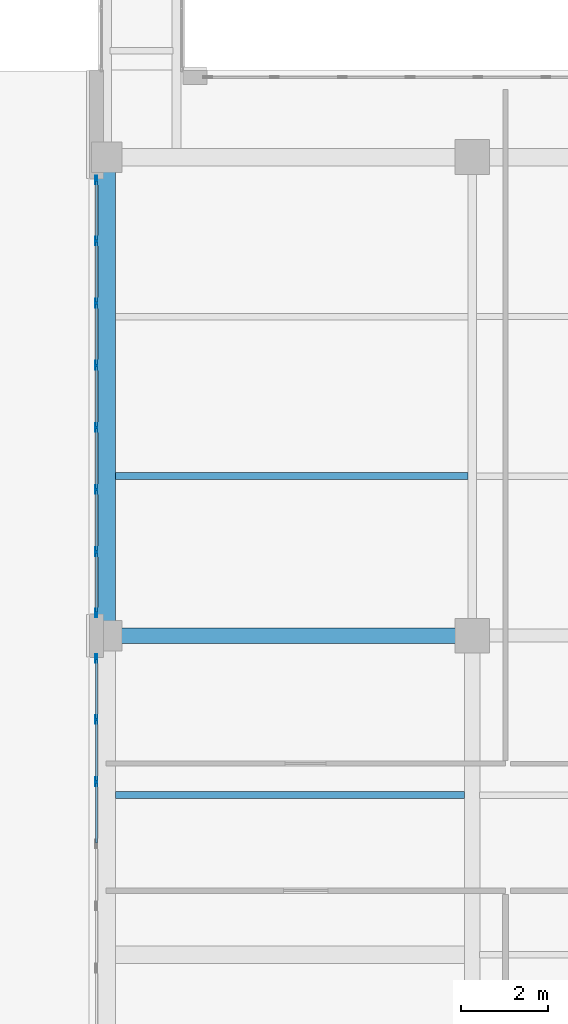
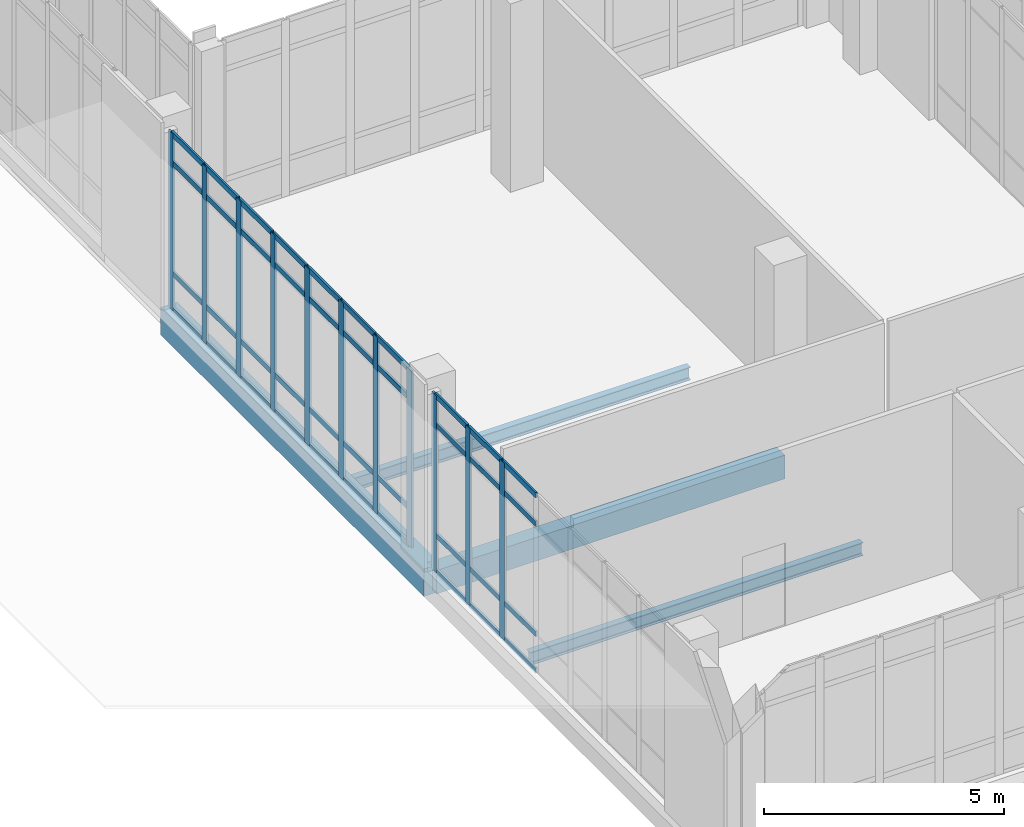
# One storey, part 5 of 189: 51 members, 4 beams, 2 elements without a shape of their own.
"""IFC4 building model written with IfcOpenShell, lengths in metres."""

from ifc_helpers import new_model, si_unit, direction, frame, origin, origin_2d, place, context, subcontext, project, spatial, rectangle, hollow_rectangle, i_section, extrude, material, layer, layer_set, material_profile, profile_set, type_object, element, aggregate, save


model = new_model("IFC4")

# Units and contexts
model_context = context("Model", 3, precision=1e-05, world=origin(), true_north=direction((0.0, 1.0)))
body_context = subcontext(model_context, "Body", "Model", "MODEL_VIEW")
ifc_project = project(units=[si_unit("LENGTHUNIT", "METRE"), si_unit("AREAUNIT", "SQUARE_METRE"), si_unit("VOLUMEUNIT", "CUBIC_METRE"), si_unit("PLANEANGLEUNIT", "RADIAN"), si_unit("MASSUNIT", "GRAM", prefix="KILO")], contexts=[model_context])

# Site, building, storey
site_placement = place(None, origin())
site = spatial("IfcSite", under=ifc_project, at=site_placement, CompositionType="ELEMENT")
building_placement = place(site_placement, origin())
building = spatial("IfcBuilding", under=site, at=building_placement, Name="Qalavern Law Courts", CompositionType="ELEMENT")
storey_placement = place(building_placement, frame((0.0, 0.0, 5.39990234375)))
storey = spatial("IfcBuildingStorey", under=building, at=storey_placement, Name="L01", CompositionType="ELEMENT", Elevation=5.39990234375)

# Curtain wall, members
ifc_material_1 = material(Name="Anodised aluminium and insulated glazing", Category="aluminium")
ifc_layer = layer(ifc_material_1, 0.199951171875)
ifc_layer_set = layer_set([ifc_layer], Name="Anodised aluminium and insulated glazing")
curtain_wall_type = type_object("IfcCurtainWallType", Name="ENV-CW-FOYER", PredefinedType="USERDEFINED", material=ifc_layer_set)
curtain_wall_1_placement = place(storey_placement, origin())
curtain_wall_1 = element("IfcCurtainWall", 1, at=curtain_wall_1_placement, inside=storey, type_object=curtain_wall_type, Name="V1 unitised curtain wall L01 west 1", ObjectType="UNITISED CURTAIN WALL", PredefinedType="USERDEFINED")
ifc_material_2 = material(Name="Anodised aluminium", Category="aluminium")
ifc_material_profile_1 = material_profile(ifc_material_2, hollow_rectangle(XDim=0.048095703125, YDim=0.199951171875, WallThickness=0.00439453125, at=origin_2d()), Name="ALU MULLION 48x200")
ifc_profile_set_1 = profile_set([ifc_material_profile_1], Name="Anodised aluminium")
member_type_1 = type_object("IfcMemberType", Name="ENV-CWM-48x200", PredefinedType="MULLION", material=ifc_profile_set_1)
member_1_placement = place(storey_placement, frame((16.5625, 31.47607421875, 0.0), z_axis=(0.0, 0.0, 1.0), x_axis=(1.0, 0.0, 0.0)))
member_1 = element("IfcMember", 2, at=member_1_placement, type_object=member_type_1, Name="CW-01 mullion 1", PredefinedType="MULLION", context=body_context, shape_type="SweptSolid", body=[
    extrude(hollow_rectangle(XDim=0.048095703125, YDim=0.199951171875, WallThickness=0.00439453125, at=origin_2d()), origin(), (0.0, 0.0, 1.0), 4.510009765625),
])
member_2_placement = place(storey_placement, frame((16.5625, 30.071533203125, 0.0), z_axis=(0.0, 0.0, 1.0), x_axis=(1.0, 0.0, 0.0)))
member_2 = element("IfcMember", 3, at=member_2_placement, type_object=member_type_1, Name="CW-01 mullion 2", PredefinedType="MULLION", context=body_context, shape_type="SweptSolid", body=[
    extrude(hollow_rectangle(XDim=0.048095703125, YDim=0.199951171875, WallThickness=0.00439453125, at=origin_2d()), origin(), (0.0, 0.0, 1.0), 4.510009765625),
])
member_3_placement = place(storey_placement, frame((16.5625, 28.642822265625, 0.0), z_axis=(0.0, 0.0, 1.0), x_axis=(1.0, 0.0, 0.0)))
member_3 = element("IfcMember", 4, at=member_3_placement, type_object=member_type_1, Name="CW-01 mullion 3", PredefinedType="MULLION", context=body_context, shape_type="SweptSolid", body=[
    extrude(hollow_rectangle(XDim=0.048095703125, YDim=0.199951171875, WallThickness=0.00439453125, at=origin_2d()), origin(), (0.0, 0.0, 1.0), 4.510009765625),
])
member_4_placement = place(storey_placement, frame((16.5625, 27.21435546875, 0.0), z_axis=(0.0, 0.0, 1.0), x_axis=(1.0, 0.0, 0.0)))
member_4 = element("IfcMember", 5, at=member_4_placement, type_object=member_type_1, Name="CW-01 mullion 4", PredefinedType="MULLION", context=body_context, shape_type="SweptSolid", body=[
    extrude(hollow_rectangle(XDim=0.048095703125, YDim=0.199951171875, WallThickness=0.00439453125, at=origin_2d()), origin(), (0.0, 0.0, 1.0), 4.510009765625),
])
member_5_placement = place(storey_placement, frame((16.5625, 25.78564453125, 0.0), z_axis=(0.0, 0.0, 1.0), x_axis=(1.0, 0.0, 0.0)))
member_5 = element("IfcMember", 6, at=member_5_placement, type_object=member_type_1, Name="CW-01 mullion 5", PredefinedType="MULLION", context=body_context, shape_type="SweptSolid", body=[
    extrude(hollow_rectangle(XDim=0.048095703125, YDim=0.199951171875, WallThickness=0.00439453125, at=origin_2d()), origin(), (0.0, 0.0, 1.0), 4.510009765625),
])
member_6_placement = place(storey_placement, frame((16.5625, 24.357177734375, 0.0), z_axis=(0.0, 0.0, 1.0), x_axis=(1.0, 0.0, 0.0)))
member_6 = element("IfcMember", 7, at=member_6_placement, type_object=member_type_1, Name="CW-01 mullion 6", PredefinedType="MULLION", context=body_context, shape_type="SweptSolid", body=[
    extrude(hollow_rectangle(XDim=0.048095703125, YDim=0.199951171875, WallThickness=0.00439453125, at=origin_2d()), origin(), (0.0, 0.0, 1.0), 4.510009765625),
])
member_7_placement = place(storey_placement, frame((16.5625, 22.928466796875, 0.0), z_axis=(0.0, 0.0, 1.0), x_axis=(1.0, 0.0, 0.0)))
member_7 = element("IfcMember", 8, at=member_7_placement, type_object=member_type_1, Name="CW-01 mullion 7", PredefinedType="MULLION", context=body_context, shape_type="SweptSolid", body=[
    extrude(hollow_rectangle(XDim=0.048095703125, YDim=0.199951171875, WallThickness=0.00439453125, at=origin_2d()), origin(), (0.0, 0.0, 1.0), 4.510009765625),
])
member_8_placement = place(storey_placement, frame((16.5625, 21.52392578125, 0.0), z_axis=(0.0, 0.0, 1.0), x_axis=(1.0, 0.0, 0.0)))
member_8 = element("IfcMember", 9, at=member_8_placement, type_object=member_type_1, Name="CW-01 mullion 8", PredefinedType="MULLION", context=body_context, shape_type="SweptSolid", body=[
    extrude(hollow_rectangle(XDim=0.048095703125, YDim=0.199951171875, WallThickness=0.00439453125, at=origin_2d()), origin(), (0.0, 0.0, 1.0), 4.510009765625),
])

curtain_wall_2_placement = place(storey_placement, origin())
curtain_wall_2 = element("IfcCurtainWall", 10, at=curtain_wall_2_placement, inside=storey, type_object=curtain_wall_type, Name="V1 unitised curtain wall L01 west 2", ObjectType="UNITISED CURTAIN WALL", PredefinedType="USERDEFINED")
member_9_placement = place(storey_placement, frame((16.5625, 20.47607421875, 0.0), z_axis=(0.0, 0.0, 1.0), x_axis=(1.0, 0.0, 0.0)))
member_9 = element("IfcMember", 11, at=member_9_placement, type_object=member_type_1, Name="CW-01 mullion 1", PredefinedType="MULLION", context=body_context, shape_type="SweptSolid", body=[
    extrude(hollow_rectangle(XDim=0.048095703125, YDim=0.199951171875, WallThickness=0.00439453125, at=origin_2d()), origin(), (0.0, 0.0, 1.0), 4.510009765625),
])
member_10_placement = place(storey_placement, frame((16.5625, 19.071533203125, 0.0), z_axis=(0.0, 0.0, 1.0), x_axis=(1.0, 0.0, 0.0)))
member_10 = element("IfcMember", 12, at=member_10_placement, type_object=member_type_1, Name="CW-01 mullion 2", PredefinedType="MULLION", context=body_context, shape_type="SweptSolid", body=[
    extrude(hollow_rectangle(XDim=0.048095703125, YDim=0.199951171875, WallThickness=0.00439453125, at=origin_2d()), origin(), (0.0, 0.0, 1.0), 4.510009765625),
])
member_11_placement = place(storey_placement, frame((16.5625, 17.642822265625, 0.0), z_axis=(0.0, 0.0, 1.0), x_axis=(1.0, 0.0, 0.0)))
member_11 = element("IfcMember", 13, at=member_11_placement, type_object=member_type_1, Name="CW-01 mullion 3", PredefinedType="MULLION", context=body_context, shape_type="SweptSolid", body=[
    extrude(hollow_rectangle(XDim=0.048095703125, YDim=0.199951171875, WallThickness=0.00439453125, at=origin_2d()), origin(), (0.0, 0.0, 1.0), 4.510009765625),
])

# Member
ifc_material_profile_2 = material_profile(ifc_material_2, hollow_rectangle(XDim=0.048095703125, YDim=0.139892578125, WallThickness=0.00390625, at=origin_2d()), Name="ALU TRANSOM 48x140")
ifc_profile_set_2 = profile_set([ifc_material_profile_2], Name="Anodised aluminium")
member_type_2 = type_object("IfcMemberType", Name="ENV-CWT-48x140", PredefinedType="USERDEFINED", material=ifc_profile_set_2)
member_12_placement = place(storey_placement, frame((16.5625, 31.451904296875, 0.024169921875), z_axis=(0.0, -1.0, 0.0), x_axis=(1.0, 0.0, 0.0)))
member_12 = element("IfcMember", 14, at=member_12_placement, type_object=member_type_2, Name="CW-01 transom 1.1", ObjectType="TRANSOM", PredefinedType="USERDEFINED", context=body_context, shape_type="SweptSolid", body=[
    extrude(hollow_rectangle(XDim=0.048095703125, YDim=0.139892578125, WallThickness=0.00390625, at=origin_2d()), origin(), (0.0, 0.0, 1.0), 1.3564453125),
])

member_13_placement = place(storey_placement, frame((16.5625, 31.451904296875, 0.9501953125), z_axis=(0.0, -1.0, 0.0), x_axis=(1.0, 0.0, 0.0)))
member_13 = element("IfcMember", 15, at=member_13_placement, type_object=member_type_2, Name="CW-01 transom 1.2", ObjectType="TRANSOM", PredefinedType="USERDEFINED", context=body_context, shape_type="SweptSolid", body=[
    extrude(hollow_rectangle(XDim=0.048095703125, YDim=0.139892578125, WallThickness=0.00390625, at=origin_2d()), origin(), (0.0, 0.0, 1.0), 1.3564453125),
])

member_14_placement = place(storey_placement, frame((16.5625, 31.451904296875, 3.760009765625), z_axis=(0.0, -1.0, 0.0), x_axis=(1.0, 0.0, 0.0)))
member_14 = element("IfcMember", 16, at=member_14_placement, type_object=member_type_2, Name="CW-01 transom 1.3", ObjectType="TRANSOM", PredefinedType="USERDEFINED", context=body_context, shape_type="SweptSolid", body=[
    extrude(hollow_rectangle(XDim=0.048095703125, YDim=0.139892578125, WallThickness=0.00390625, at=origin_2d()), origin(), (0.0, 0.0, 1.0), 1.3564453125),
])

member_15_placement = place(storey_placement, frame((16.5625, 31.451904296875, 4.486083984375), z_axis=(0.0, -1.0, 0.0), x_axis=(1.0, 0.0, 0.0)))
member_15 = element("IfcMember", 17, at=member_15_placement, type_object=member_type_2, Name="CW-01 transom 1.4", ObjectType="TRANSOM", PredefinedType="USERDEFINED", context=body_context, shape_type="SweptSolid", body=[
    extrude(hollow_rectangle(XDim=0.048095703125, YDim=0.139892578125, WallThickness=0.00390625, at=origin_2d()), origin(), (0.0, 0.0, 1.0), 1.3564453125),
])

member_16_placement = place(storey_placement, frame((16.5625, 30.04736328125, 0.024169921875), z_axis=(0.0, -1.0, 0.0), x_axis=(1.0, 0.0, 0.0)))
member_16 = element("IfcMember", 18, at=member_16_placement, type_object=member_type_2, Name="CW-01 transom 2.1", ObjectType="TRANSOM", PredefinedType="USERDEFINED", context=body_context, shape_type="SweptSolid", body=[
    extrude(hollow_rectangle(XDim=0.048095703125, YDim=0.139892578125, WallThickness=0.00390625, at=origin_2d()), origin(), (0.0, 0.0, 1.0), 1.380615234375),
])

member_17_placement = place(storey_placement, frame((16.5625, 30.04736328125, 0.9501953125), z_axis=(0.0, -1.0, 0.0), x_axis=(1.0, 0.0, 0.0)))
member_17 = element("IfcMember", 19, at=member_17_placement, type_object=member_type_2, Name="CW-01 transom 2.2", ObjectType="TRANSOM", PredefinedType="USERDEFINED", context=body_context, shape_type="SweptSolid", body=[
    extrude(hollow_rectangle(XDim=0.048095703125, YDim=0.139892578125, WallThickness=0.00390625, at=origin_2d()), origin(), (0.0, 0.0, 1.0), 1.380615234375),
])

member_18_placement = place(storey_placement, frame((16.5625, 30.04736328125, 3.760009765625), z_axis=(0.0, -1.0, 0.0), x_axis=(1.0, 0.0, 0.0)))
member_18 = element("IfcMember", 20, at=member_18_placement, type_object=member_type_2, Name="CW-01 transom 2.3", ObjectType="TRANSOM", PredefinedType="USERDEFINED", context=body_context, shape_type="SweptSolid", body=[
    extrude(hollow_rectangle(XDim=0.048095703125, YDim=0.139892578125, WallThickness=0.00390625, at=origin_2d()), origin(), (0.0, 0.0, 1.0), 1.380615234375),
])

member_19_placement = place(storey_placement, frame((16.5625, 30.04736328125, 4.486083984375), z_axis=(0.0, -1.0, 0.0), x_axis=(1.0, 0.0, 0.0)))
member_19 = element("IfcMember", 21, at=member_19_placement, type_object=member_type_2, Name="CW-01 transom 2.4", ObjectType="TRANSOM", PredefinedType="USERDEFINED", context=body_context, shape_type="SweptSolid", body=[
    extrude(hollow_rectangle(XDim=0.048095703125, YDim=0.139892578125, WallThickness=0.00390625, at=origin_2d()), origin(), (0.0, 0.0, 1.0), 1.380615234375),
])

member_20_placement = place(storey_placement, frame((16.5625, 28.618896484375, 0.024169921875), z_axis=(0.0, -1.0, 0.0), x_axis=(1.0, 0.0, 0.0)))
member_20 = element("IfcMember", 22, at=member_20_placement, type_object=member_type_2, Name="CW-01 transom 3.1", ObjectType="TRANSOM", PredefinedType="USERDEFINED", context=body_context, shape_type="SweptSolid", body=[
    extrude(hollow_rectangle(XDim=0.048095703125, YDim=0.139892578125, WallThickness=0.00390625, at=origin_2d()), origin(), (0.0, 0.0, 1.0), 1.380615234375),
])

member_21_placement = place(storey_placement, frame((16.5625, 28.618896484375, 0.9501953125), z_axis=(0.0, -1.0, 0.0), x_axis=(1.0, 0.0, 0.0)))
member_21 = element("IfcMember", 23, at=member_21_placement, type_object=member_type_2, Name="CW-01 transom 3.2", ObjectType="TRANSOM", PredefinedType="USERDEFINED", context=body_context, shape_type="SweptSolid", body=[
    extrude(hollow_rectangle(XDim=0.048095703125, YDim=0.139892578125, WallThickness=0.00390625, at=origin_2d()), origin(), (0.0, 0.0, 1.0), 1.380615234375),
])

member_22_placement = place(storey_placement, frame((16.5625, 28.618896484375, 3.760009765625), z_axis=(0.0, -1.0, 0.0), x_axis=(1.0, 0.0, 0.0)))
member_22 = element("IfcMember", 24, at=member_22_placement, type_object=member_type_2, Name="CW-01 transom 3.3", ObjectType="TRANSOM", PredefinedType="USERDEFINED", context=body_context, shape_type="SweptSolid", body=[
    extrude(hollow_rectangle(XDim=0.048095703125, YDim=0.139892578125, WallThickness=0.00390625, at=origin_2d()), origin(), (0.0, 0.0, 1.0), 1.380615234375),
])

member_23_placement = place(storey_placement, frame((16.5625, 28.618896484375, 4.486083984375), z_axis=(0.0, -1.0, 0.0), x_axis=(1.0, 0.0, 0.0)))
member_23 = element("IfcMember", 25, at=member_23_placement, type_object=member_type_2, Name="CW-01 transom 3.4", ObjectType="TRANSOM", PredefinedType="USERDEFINED", context=body_context, shape_type="SweptSolid", body=[
    extrude(hollow_rectangle(XDim=0.048095703125, YDim=0.139892578125, WallThickness=0.00390625, at=origin_2d()), origin(), (0.0, 0.0, 1.0), 1.380615234375),
])

member_24_placement = place(storey_placement, frame((16.5625, 27.190185546875, 0.024169921875), z_axis=(0.0, -1.0, 0.0), x_axis=(1.0, 0.0, 0.0)))
member_24 = element("IfcMember", 26, at=member_24_placement, type_object=member_type_2, Name="CW-01 transom 4.1", ObjectType="TRANSOM", PredefinedType="USERDEFINED", context=body_context, shape_type="SweptSolid", body=[
    extrude(hollow_rectangle(XDim=0.048095703125, YDim=0.139892578125, WallThickness=0.00390625, at=origin_2d()), origin(), (0.0, 0.0, 1.0), 1.38037109375),
])

member_25_placement = place(storey_placement, frame((16.5625, 27.190185546875, 0.9501953125), z_axis=(0.0, -1.0, 0.0), x_axis=(1.0, 0.0, 0.0)))
member_25 = element("IfcMember", 27, at=member_25_placement, type_object=member_type_2, Name="CW-01 transom 4.2", ObjectType="TRANSOM", PredefinedType="USERDEFINED", context=body_context, shape_type="SweptSolid", body=[
    extrude(hollow_rectangle(XDim=0.048095703125, YDim=0.139892578125, WallThickness=0.00390625, at=origin_2d()), origin(), (0.0, 0.0, 1.0), 1.38037109375),
])

member_26_placement = place(storey_placement, frame((16.5625, 27.190185546875, 3.760009765625), z_axis=(0.0, -1.0, 0.0), x_axis=(1.0, 0.0, 0.0)))
member_26 = element("IfcMember", 28, at=member_26_placement, type_object=member_type_2, Name="CW-01 transom 4.3", ObjectType="TRANSOM", PredefinedType="USERDEFINED", context=body_context, shape_type="SweptSolid", body=[
    extrude(hollow_rectangle(XDim=0.048095703125, YDim=0.139892578125, WallThickness=0.00390625, at=origin_2d()), origin(), (0.0, 0.0, 1.0), 1.38037109375),
])

member_27_placement = place(storey_placement, frame((16.5625, 27.190185546875, 4.486083984375), z_axis=(0.0, -1.0, 0.0), x_axis=(1.0, 0.0, 0.0)))
member_27 = element("IfcMember", 29, at=member_27_placement, type_object=member_type_2, Name="CW-01 transom 4.4", ObjectType="TRANSOM", PredefinedType="USERDEFINED", context=body_context, shape_type="SweptSolid", body=[
    extrude(hollow_rectangle(XDim=0.048095703125, YDim=0.139892578125, WallThickness=0.00390625, at=origin_2d()), origin(), (0.0, 0.0, 1.0), 1.38037109375),
])

member_28_placement = place(storey_placement, frame((16.5625, 25.76171875, 0.024169921875), z_axis=(0.0, -1.0, 0.0), x_axis=(1.0, 0.0, 0.0)))
member_28 = element("IfcMember", 30, at=member_28_placement, type_object=member_type_2, Name="CW-01 transom 5.1", ObjectType="TRANSOM", PredefinedType="USERDEFINED", context=body_context, shape_type="SweptSolid", body=[
    extrude(hollow_rectangle(XDim=0.048095703125, YDim=0.139892578125, WallThickness=0.00390625, at=origin_2d()), origin(), (0.0, 0.0, 1.0), 1.380615234375),
])

member_29_placement = place(storey_placement, frame((16.5625, 25.76171875, 0.9501953125), z_axis=(0.0, -1.0, 0.0), x_axis=(1.0, 0.0, 0.0)))
member_29 = element("IfcMember", 31, at=member_29_placement, type_object=member_type_2, Name="CW-01 transom 5.2", ObjectType="TRANSOM", PredefinedType="USERDEFINED", context=body_context, shape_type="SweptSolid", body=[
    extrude(hollow_rectangle(XDim=0.048095703125, YDim=0.139892578125, WallThickness=0.00390625, at=origin_2d()), origin(), (0.0, 0.0, 1.0), 1.380615234375),
])

member_30_placement = place(storey_placement, frame((16.5625, 25.76171875, 3.760009765625), z_axis=(0.0, -1.0, 0.0), x_axis=(1.0, 0.0, 0.0)))
member_30 = element("IfcMember", 32, at=member_30_placement, type_object=member_type_2, Name="CW-01 transom 5.3", ObjectType="TRANSOM", PredefinedType="USERDEFINED", context=body_context, shape_type="SweptSolid", body=[
    extrude(hollow_rectangle(XDim=0.048095703125, YDim=0.139892578125, WallThickness=0.00390625, at=origin_2d()), origin(), (0.0, 0.0, 1.0), 1.380615234375),
])

member_31_placement = place(storey_placement, frame((16.5625, 25.76171875, 4.486083984375), z_axis=(0.0, -1.0, 0.0), x_axis=(1.0, 0.0, 0.0)))
member_31 = element("IfcMember", 33, at=member_31_placement, type_object=member_type_2, Name="CW-01 transom 5.4", ObjectType="TRANSOM", PredefinedType="USERDEFINED", context=body_context, shape_type="SweptSolid", body=[
    extrude(hollow_rectangle(XDim=0.048095703125, YDim=0.139892578125, WallThickness=0.00390625, at=origin_2d()), origin(), (0.0, 0.0, 1.0), 1.380615234375),
])

member_32_placement = place(storey_placement, frame((16.5625, 24.333251953125, 0.024169921875), z_axis=(0.0, -1.0, 0.0), x_axis=(1.0, 0.0, 0.0)))
member_32 = element("IfcMember", 34, at=member_32_placement, type_object=member_type_2, Name="CW-01 transom 6.1", ObjectType="TRANSOM", PredefinedType="USERDEFINED", context=body_context, shape_type="SweptSolid", body=[
    extrude(hollow_rectangle(XDim=0.048095703125, YDim=0.139892578125, WallThickness=0.00390625, at=origin_2d()), origin(), (0.0, 0.0, 1.0), 1.380615234375),
])

member_33_placement = place(storey_placement, frame((16.5625, 24.333251953125, 0.9501953125), z_axis=(0.0, -1.0, 0.0), x_axis=(1.0, 0.0, 0.0)))
member_33 = element("IfcMember", 35, at=member_33_placement, type_object=member_type_2, Name="CW-01 transom 6.2", ObjectType="TRANSOM", PredefinedType="USERDEFINED", context=body_context, shape_type="SweptSolid", body=[
    extrude(hollow_rectangle(XDim=0.048095703125, YDim=0.139892578125, WallThickness=0.00390625, at=origin_2d()), origin(), (0.0, 0.0, 1.0), 1.380615234375),
])

member_34_placement = place(storey_placement, frame((16.5625, 24.333251953125, 3.760009765625), z_axis=(0.0, -1.0, 0.0), x_axis=(1.0, 0.0, 0.0)))
member_34 = element("IfcMember", 36, at=member_34_placement, type_object=member_type_2, Name="CW-01 transom 6.3", ObjectType="TRANSOM", PredefinedType="USERDEFINED", context=body_context, shape_type="SweptSolid", body=[
    extrude(hollow_rectangle(XDim=0.048095703125, YDim=0.139892578125, WallThickness=0.00390625, at=origin_2d()), origin(), (0.0, 0.0, 1.0), 1.380615234375),
])

member_35_placement = place(storey_placement, frame((16.5625, 24.333251953125, 4.486083984375), z_axis=(0.0, -1.0, 0.0), x_axis=(1.0, 0.0, 0.0)))
member_35 = element("IfcMember", 37, at=member_35_placement, type_object=member_type_2, Name="CW-01 transom 6.4", ObjectType="TRANSOM", PredefinedType="USERDEFINED", context=body_context, shape_type="SweptSolid", body=[
    extrude(hollow_rectangle(XDim=0.048095703125, YDim=0.139892578125, WallThickness=0.00390625, at=origin_2d()), origin(), (0.0, 0.0, 1.0), 1.380615234375),
])

member_36_placement = place(storey_placement, frame((16.5625, 22.904541015625, 0.024169921875), z_axis=(0.0, -1.0, 0.0), x_axis=(1.0, 0.0, 0.0)))
member_36 = element("IfcMember", 38, at=member_36_placement, type_object=member_type_2, Name="CW-01 transom 7.1", ObjectType="TRANSOM", PredefinedType="USERDEFINED", context=body_context, shape_type="SweptSolid", body=[
    extrude(hollow_rectangle(XDim=0.048095703125, YDim=0.139892578125, WallThickness=0.00390625, at=origin_2d()), origin(), (0.0, 0.0, 1.0), 1.3564453125),
])

member_37_placement = place(storey_placement, frame((16.5625, 22.904541015625, 0.9501953125), z_axis=(0.0, -1.0, 0.0), x_axis=(1.0, 0.0, 0.0)))
member_37 = element("IfcMember", 39, at=member_37_placement, type_object=member_type_2, Name="CW-01 transom 7.2", ObjectType="TRANSOM", PredefinedType="USERDEFINED", context=body_context, shape_type="SweptSolid", body=[
    extrude(hollow_rectangle(XDim=0.048095703125, YDim=0.139892578125, WallThickness=0.00390625, at=origin_2d()), origin(), (0.0, 0.0, 1.0), 1.3564453125),
])

member_38_placement = place(storey_placement, frame((16.5625, 22.904541015625, 3.760009765625), z_axis=(0.0, -1.0, 0.0), x_axis=(1.0, 0.0, 0.0)))
member_38 = element("IfcMember", 40, at=member_38_placement, type_object=member_type_2, Name="CW-01 transom 7.3", ObjectType="TRANSOM", PredefinedType="USERDEFINED", context=body_context, shape_type="SweptSolid", body=[
    extrude(hollow_rectangle(XDim=0.048095703125, YDim=0.139892578125, WallThickness=0.00390625, at=origin_2d()), origin(), (0.0, 0.0, 1.0), 1.3564453125),
])

member_39_placement = place(storey_placement, frame((16.5625, 22.904541015625, 4.486083984375), z_axis=(0.0, -1.0, 0.0), x_axis=(1.0, 0.0, 0.0)))
member_39 = element("IfcMember", 41, at=member_39_placement, type_object=member_type_2, Name="CW-01 transom 7.4", ObjectType="TRANSOM", PredefinedType="USERDEFINED", context=body_context, shape_type="SweptSolid", body=[
    extrude(hollow_rectangle(XDim=0.048095703125, YDim=0.139892578125, WallThickness=0.00390625, at=origin_2d()), origin(), (0.0, 0.0, 1.0), 1.3564453125),
])

aggregate(curtain_wall_1, [member_1, member_2, member_3, member_4, member_5, member_6, member_7, member_8, member_12, member_13, member_14, member_15, member_16, member_17, member_18, member_19, member_20, member_21, member_22, member_23, member_24, member_25, member_26, member_27, member_28, member_29, member_30, member_31, member_32, member_33, member_34, member_35, member_36, member_37, member_38, member_39])

member_40_placement = place(storey_placement, frame((16.5625, 20.451904296875, 0.024169921875), z_axis=(0.0, -1.0, 0.0), x_axis=(1.0, 0.0, 0.0)))
member_40 = element("IfcMember", 42, at=member_40_placement, type_object=member_type_2, Name="CW-01 transom 1.1", ObjectType="TRANSOM", PredefinedType="USERDEFINED", context=body_context, shape_type="SweptSolid", body=[
    extrude(hollow_rectangle(XDim=0.048095703125, YDim=0.139892578125, WallThickness=0.00390625, at=origin_2d()), origin(), (0.0, 0.0, 1.0), 1.3564453125),
])

member_41_placement = place(storey_placement, frame((16.5625, 20.451904296875, 0.9501953125), z_axis=(0.0, -1.0, 0.0), x_axis=(1.0, 0.0, 0.0)))
member_41 = element("IfcMember", 43, at=member_41_placement, type_object=member_type_2, Name="CW-01 transom 1.2", ObjectType="TRANSOM", PredefinedType="USERDEFINED", context=body_context, shape_type="SweptSolid", body=[
    extrude(hollow_rectangle(XDim=0.048095703125, YDim=0.139892578125, WallThickness=0.00390625, at=origin_2d()), origin(), (0.0, 0.0, 1.0), 1.3564453125),
])

member_42_placement = place(storey_placement, frame((16.5625, 20.451904296875, 3.760009765625), z_axis=(0.0, -1.0, 0.0), x_axis=(1.0, 0.0, 0.0)))
member_42 = element("IfcMember", 44, at=member_42_placement, type_object=member_type_2, Name="CW-01 transom 1.3", ObjectType="TRANSOM", PredefinedType="USERDEFINED", context=body_context, shape_type="SweptSolid", body=[
    extrude(hollow_rectangle(XDim=0.048095703125, YDim=0.139892578125, WallThickness=0.00390625, at=origin_2d()), origin(), (0.0, 0.0, 1.0), 1.3564453125),
])

member_43_placement = place(storey_placement, frame((16.5625, 20.451904296875, 4.486083984375), z_axis=(0.0, -1.0, 0.0), x_axis=(1.0, 0.0, 0.0)))
member_43 = element("IfcMember", 45, at=member_43_placement, type_object=member_type_2, Name="CW-01 transom 1.4", ObjectType="TRANSOM", PredefinedType="USERDEFINED", context=body_context, shape_type="SweptSolid", body=[
    extrude(hollow_rectangle(XDim=0.048095703125, YDim=0.139892578125, WallThickness=0.00390625, at=origin_2d()), origin(), (0.0, 0.0, 1.0), 1.3564453125),
])

member_44_placement = place(storey_placement, frame((16.5625, 19.04736328125, 0.024169921875), z_axis=(0.0, -1.0, 0.0), x_axis=(1.0, 0.0, 0.0)))
member_44 = element("IfcMember", 46, at=member_44_placement, type_object=member_type_2, Name="CW-01 transom 2.1", ObjectType="TRANSOM", PredefinedType="USERDEFINED", context=body_context, shape_type="SweptSolid", body=[
    extrude(hollow_rectangle(XDim=0.048095703125, YDim=0.139892578125, WallThickness=0.00390625, at=origin_2d()), origin(), (0.0, 0.0, 1.0), 1.380615234375),
])

member_45_placement = place(storey_placement, frame((16.5625, 19.04736328125, 0.9501953125), z_axis=(0.0, -1.0, 0.0), x_axis=(1.0, 0.0, 0.0)))
member_45 = element("IfcMember", 47, at=member_45_placement, type_object=member_type_2, Name="CW-01 transom 2.2", ObjectType="TRANSOM", PredefinedType="USERDEFINED", context=body_context, shape_type="SweptSolid", body=[
    extrude(hollow_rectangle(XDim=0.048095703125, YDim=0.139892578125, WallThickness=0.00390625, at=origin_2d()), origin(), (0.0, 0.0, 1.0), 1.380615234375),
])

member_46_placement = place(storey_placement, frame((16.5625, 19.04736328125, 3.760009765625), z_axis=(0.0, -1.0, 0.0), x_axis=(1.0, 0.0, 0.0)))
member_46 = element("IfcMember", 48, at=member_46_placement, type_object=member_type_2, Name="CW-01 transom 2.3", ObjectType="TRANSOM", PredefinedType="USERDEFINED", context=body_context, shape_type="SweptSolid", body=[
    extrude(hollow_rectangle(XDim=0.048095703125, YDim=0.139892578125, WallThickness=0.00390625, at=origin_2d()), origin(), (0.0, 0.0, 1.0), 1.380615234375),
])

member_47_placement = place(storey_placement, frame((16.5625, 19.04736328125, 4.486083984375), z_axis=(0.0, -1.0, 0.0), x_axis=(1.0, 0.0, 0.0)))
member_47 = element("IfcMember", 49, at=member_47_placement, type_object=member_type_2, Name="CW-01 transom 2.4", ObjectType="TRANSOM", PredefinedType="USERDEFINED", context=body_context, shape_type="SweptSolid", body=[
    extrude(hollow_rectangle(XDim=0.048095703125, YDim=0.139892578125, WallThickness=0.00390625, at=origin_2d()), origin(), (0.0, 0.0, 1.0), 1.380615234375),
])

member_48_placement = place(storey_placement, frame((16.5625, 17.618896484375, 0.024169921875), z_axis=(0.0, -1.0, 0.0), x_axis=(1.0, 0.0, 0.0)))
member_48 = element("IfcMember", 50, at=member_48_placement, type_object=member_type_2, Name="CW-01 transom 3.1", ObjectType="TRANSOM", PredefinedType="USERDEFINED", context=body_context, shape_type="SweptSolid", body=[
    extrude(hollow_rectangle(XDim=0.048095703125, YDim=0.139892578125, WallThickness=0.00390625, at=origin_2d()), origin(), (0.0, 0.0, 1.0), 1.380615234375),
])

member_49_placement = place(storey_placement, frame((16.5625, 17.618896484375, 0.9501953125), z_axis=(0.0, -1.0, 0.0), x_axis=(1.0, 0.0, 0.0)))
member_49 = element("IfcMember", 51, at=member_49_placement, type_object=member_type_2, Name="CW-01 transom 3.2", ObjectType="TRANSOM", PredefinedType="USERDEFINED", context=body_context, shape_type="SweptSolid", body=[
    extrude(hollow_rectangle(XDim=0.048095703125, YDim=0.139892578125, WallThickness=0.00390625, at=origin_2d()), origin(), (0.0, 0.0, 1.0), 1.380615234375),
])

member_50_placement = place(storey_placement, frame((16.5625, 17.618896484375, 3.760009765625), z_axis=(0.0, -1.0, 0.0), x_axis=(1.0, 0.0, 0.0)))
member_50 = element("IfcMember", 52, at=member_50_placement, type_object=member_type_2, Name="CW-01 transom 3.3", ObjectType="TRANSOM", PredefinedType="USERDEFINED", context=body_context, shape_type="SweptSolid", body=[
    extrude(hollow_rectangle(XDim=0.048095703125, YDim=0.139892578125, WallThickness=0.00390625, at=origin_2d()), origin(), (0.0, 0.0, 1.0), 1.380615234375),
])

member_51_placement = place(storey_placement, frame((16.5625, 17.618896484375, 4.486083984375), z_axis=(0.0, -1.0, 0.0), x_axis=(1.0, 0.0, 0.0)))
member_51 = element("IfcMember", 53, at=member_51_placement, type_object=member_type_2, Name="CW-01 transom 3.4", ObjectType="TRANSOM", PredefinedType="USERDEFINED", context=body_context, shape_type="SweptSolid", body=[
    extrude(hollow_rectangle(XDim=0.048095703125, YDim=0.139892578125, WallThickness=0.00390625, at=origin_2d()), origin(), (0.0, 0.0, 1.0), 1.380615234375),
])

aggregate(curtain_wall_2, [member_9, member_10, member_11, member_40, member_41, member_42, member_43, member_44, member_45, member_46, member_47, member_48, member_49, member_50, member_51])

# Beams
ifc_material_3 = material(Name="Concrete C35/45", Category="concrete")
ifc_material_profile_3 = material_profile(ifc_material_3, rectangle(XDim=0.35009765625, YDim=0.60009765625, at=origin_2d()), Name="RC 350x600")
ifc_profile_set_3 = profile_set([ifc_material_profile_3], Name="Concrete C35/45")
beam_type_1 = type_object("IfcBeamType", Name="STR-BM-RC350x600", PredefinedType="BEAM", material=ifc_profile_set_3)
beam_1_placement = place(storey_placement, frame((16.800048828125, 21.0, -0.599853515625), z_axis=(1.0, 0.0, 0.0), x_axis=(0.0, 1.0, 0.0)))
element("IfcBeam", 54, at=beam_1_placement, inside=storey, type_object=beam_type_1, Name="V1 X-beam 2-1 L01", PredefinedType="BEAM", context=body_context, shape_type="SweptSolid", body=[
    extrude(rectangle(XDim=0.35009765625, YDim=0.60009765625, at=origin_2d()), origin(), (0.0, 0.0, 1.0), 8.39990234375),
])
ifc_material_4 = material(Name="Steel S355", Category="steel")
ifc_material_profile_4 = material_profile(ifc_material_4, i_section(OverallWidth=0.159912109375, OverallDepth=0.330078125, WebThickness=0.007568359375, FlangeThickness=0.011474609375, FilletRadius=0.01806640625, at=origin_2d()), Name="IPE 330")
ifc_profile_set_4 = profile_set([ifc_material_profile_4], Name="Steel S355")
beam_type_2 = type_object("IfcBeamType", Name="STR-JST-IPE330", PredefinedType="JOIST", material=ifc_profile_set_4)
beam_2_placement = place(storey_placement, frame((16.998046875, 17.333251953125, -0.46484375), z_axis=(1.0, 0.0, 0.0), x_axis=(0.0, 1.0, 0.0)))
element("IfcBeam", 55, at=beam_2_placement, inside=storey, type_object=beam_type_2, Name="V1 secondary joist 1.1.2 L01", PredefinedType="JOIST", context=body_context, shape_type="SweptSolid", body=[
    extrude(i_section(OverallWidth=0.159912109375, OverallDepth=0.330078125, WebThickness=0.007568359375, FlangeThickness=0.011474609375, FilletRadius=0.01806640625, at=origin_2d()), origin(), (0.0, 0.0, 1.0), 8.029052734375),
])
beam_3_placement = place(storey_placement, frame((16.998046875, 24.666748046875, -0.46484375), z_axis=(1.0, 0.0, 0.0), x_axis=(0.0, 1.0, 0.0)))
element("IfcBeam", 56, at=beam_3_placement, inside=storey, type_object=beam_type_2, Name="V1 secondary joist 1.2.1 L01", PredefinedType="JOIST", context=body_context, shape_type="SweptSolid", body=[
    extrude(i_section(OverallWidth=0.159912109375, OverallDepth=0.330078125, WebThickness=0.007568359375, FlangeThickness=0.011474609375, FilletRadius=0.01806640625, at=origin_2d()), origin(), (0.0, 0.0, 1.0), 8.10400390625),
])
ifc_material_5 = material(Name="Concrete C40/50", Category="concrete")
ifc_material_profile_5 = material_profile(ifc_material_5, rectangle(XDim=0.39990234375, YDim=0.699951171875, at=origin_2d()), Name="RC 400x700")
ifc_profile_set_5 = profile_set([ifc_material_profile_5], Name="Concrete C40/50")
beam_type_3 = type_object("IfcBeamType", Name="STR-SP-RC400x700", PredefinedType="SPANDREL", material=ifc_profile_set_5)
beam_4_placement = place(storey_placement, frame((16.800048828125, 21.0, -0.64990234375), z_axis=(0.0, 1.0, 0.0), x_axis=(-1.0, 0.0, 0.0)))
element("IfcBeam", 57, at=beam_4_placement, inside=storey, type_object=beam_type_3, Name="V1 Y-beam 1-2 L01", PredefinedType="SPANDREL", context=body_context, shape_type="SweptSolid", body=[
    extrude(rectangle(XDim=0.39990234375, YDim=0.699951171875, at=origin_2d()), origin(), (0.0, 0.0, 1.0), 11.0),
])

save(model, "model.ifc")
